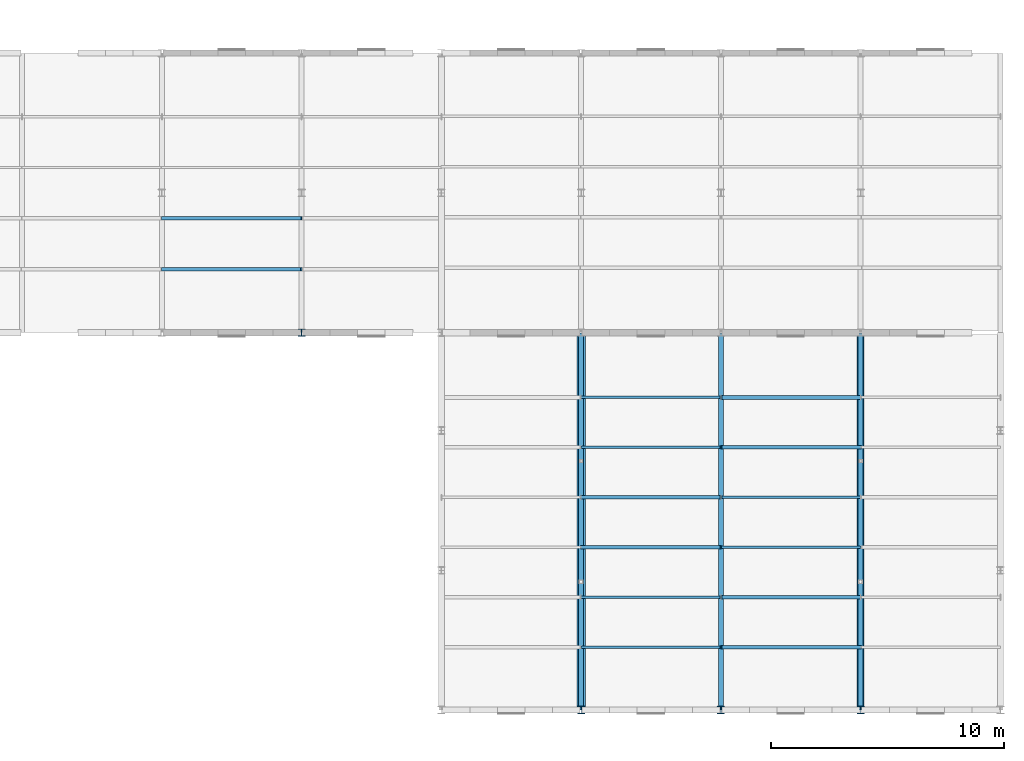
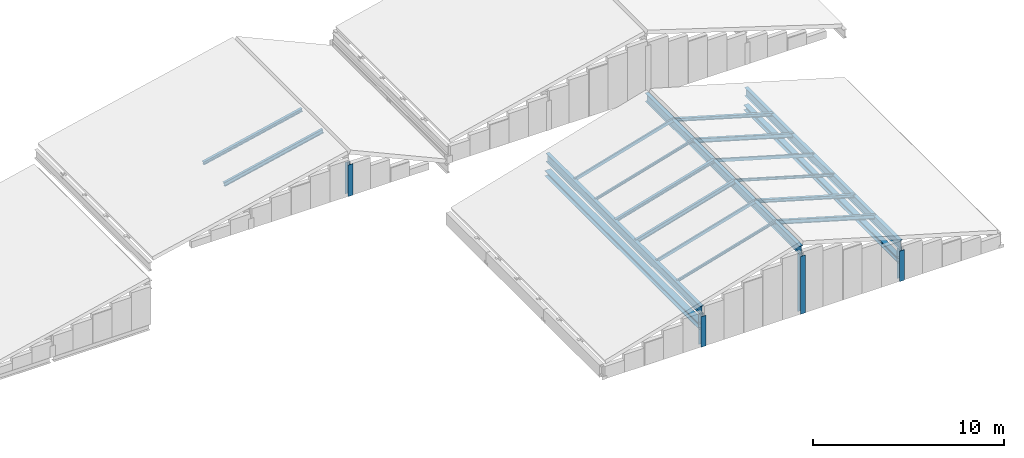
# One storey, part 17 of 74: 20 members, 3 beams.
"""IFC4 building model written with IfcOpenShell, lengths in metres."""

from ifc_helpers import new_model, si_unit, direction, frame, origin, origin_2d, place, context, subcontext, project, spatial, hollow_rectangle, i_section, extrude, material, material_profile, profile_set, type_object, element, save


model = new_model("IFC4")

# Units and contexts
model_context = context("Model", 3, precision=1e-05, world=origin(), true_north=direction((0.0, 1.0)))
body_context = subcontext(model_context, "Body", "Model", "MODEL_VIEW")
ifc_project = project(units=[si_unit("LENGTHUNIT", "METRE"), si_unit("AREAUNIT", "SQUARE_METRE"), si_unit("VOLUMEUNIT", "CUBIC_METRE"), si_unit("PLANEANGLEUNIT", "RADIAN"), si_unit("MASSUNIT", "GRAM", prefix="KILO")], contexts=[model_context])

# Site, building, storey
site_placement = place(None, origin())
site = spatial("IfcSite", under=ifc_project, at=site_placement, CompositionType="ELEMENT")
building_placement = place(site_placement, origin())
building = spatial("IfcBuilding", under=site, at=building_placement, Name="Siltcreek Boulevard Central Fire Station", CompositionType="ELEMENT")
storey_placement = place(building_placement, frame((0.0, 0.0, 25.199951171875)))
storey = spatial("IfcBuildingStorey", under=building, at=storey_placement, Name="RF", CompositionType="ELEMENT", Elevation=25.199951171875)

# Beams
ifc_material_1 = material(Name="Structural steel ASTM A992 Gr50", Category="steel")
ifc_material_profile_1 = material_profile(ifc_material_1, i_section(OverallWidth=0.2109375, OverallDepth=0.5390625, WebThickness=0.01171875, FlangeThickness=0.018798828125, at=origin_2d()), Name="W530X109")
ifc_profile_set_1 = profile_set([ifc_material_profile_1], Name="Structural steel ASTM A992 Gr50")
beam_type = type_object("IfcBeamType", Name="BM_W530X109", PredefinedType="BEAM", material=ifc_profile_set_1)
for number, where, z_axis, x_axis, name in (
    (1, (148.199951171875, 1.81005859375, -12.984375), (0.0, 1.0, 0.0), (-1.0, 0.0, 0.0), "Pitched roof rafter beam RFB-065"),
    (2, (154.199951171875, 1.81005859375, -11.234375), (0.0, 1.0, 0.0), (-1.0, 0.0, 0.0), "Pitched roof rafter beam RFB-066"),
    (3, (160.199951171875, 1.81005859375, -12.984375), (0.0, 1.0, 0.0), (-1.0, 0.0, 0.0), "Pitched roof rafter beam RFB-067"),
):
    element("IfcBeam", number, at=place(storey_placement, frame(where, z_axis=z_axis, x_axis=x_axis)), inside=storey, type_object=beam_type, Name=name, PredefinedType="BEAM", context=body_context, shape_type="SweptSolid", body=[
        extrude(i_section(OverallWidth=0.2109375, OverallDepth=0.5390625, WebThickness=0.01171875, FlangeThickness=0.018798828125, at=origin_2d()), origin(), (0.0, 0.0, 1.0), 16.179931640625),
    ])

# Members
ifc_material_profile_2 = material_profile(ifc_material_1, i_section(OverallWidth=0.304931640625, OverallDepth=0.30810546875, WebThickness=0.010009765625, FlangeThickness=0.015380859375, at=origin_2d()), Name="W310X97")
ifc_profile_set_2 = profile_set([ifc_material_profile_2], Name="Structural steel ASTM A992 Gr50")
member_type_1 = type_object("IfcMemberType", Name="CH_W310X97", PredefinedType="CHORD", material=ifc_profile_set_2)
member_1_placement = place(storey_placement, frame((160.199951171875, 1.81005859375, -13.973876953125), z_axis=(0.0, 1.0, 0.0), x_axis=(-1.0, 0.0, 0.0)))
element("IfcMember", 4, at=member_1_placement, inside=storey, type_object=member_type_1, Name="Roof truss bottom chord CH-007", PredefinedType="CHORD", context=body_context, shape_type="SweptSolid", body=[
    extrude(i_section(OverallWidth=0.304931640625, OverallDepth=0.30810546875, WebThickness=0.010009765625, FlangeThickness=0.015380859375, at=origin_2d()), origin(), (0.0, 0.0, 1.0), 16.179931640625),
])
member_2_placement = place(storey_placement, frame((136.199951171875, 18.0, -11.199951171875), z_axis=(0.0, 0.0, 1.0), x_axis=(1.0, 0.0, 0.0)))
element("IfcMember", 5, at=member_2_placement, inside=storey, type_object=member_type_1, Name="Roof bearing truss post 0768", PredefinedType="CHORD", context=body_context, shape_type="SweptSolid", body=[
    extrude(i_section(OverallWidth=0.304931640625, OverallDepth=0.30810546875, WebThickness=0.010009765625, FlangeThickness=0.015380859375, at=origin_2d()), origin(), (0.0, 0.0, 1.0), 2.012451171875),
])
member_3_placement = place(storey_placement, frame((148.199951171875, 1.800048828125, -15.199951171875), z_axis=(0.0, 0.0, 1.0), x_axis=(1.0, 0.0, 0.0)))
element("IfcMember", 6, at=member_3_placement, inside=storey, type_object=member_type_1, Name="Roof bearing truss post 0781", PredefinedType="CHORD", context=body_context, shape_type="SweptSolid", body=[
    extrude(i_section(OverallWidth=0.304931640625, OverallDepth=0.30810546875, WebThickness=0.010009765625, FlangeThickness=0.015380859375, at=origin_2d()), origin(), (0.0, 0.0, 1.0), 1.949951171875),
])
member_4_placement = place(storey_placement, frame((154.199951171875, 1.800048828125, -15.199951171875), z_axis=(0.0, 0.0, 1.0), x_axis=(1.0, 0.0, 0.0)))
element("IfcMember", 7, at=member_4_placement, inside=storey, type_object=member_type_1, Name="Roof bearing truss post 0788", PredefinedType="CHORD", context=body_context, shape_type="SweptSolid", body=[
    extrude(i_section(OverallWidth=0.304931640625, OverallDepth=0.30810546875, WebThickness=0.010009765625, FlangeThickness=0.015380859375, at=origin_2d()), origin(), (0.0, 0.0, 1.0), 3.699951171875),
])
member_5_placement = place(storey_placement, frame((160.199951171875, 1.800048828125, -15.199951171875), z_axis=(0.0, 0.0, 1.0), x_axis=(1.0, 0.0, 0.0)))
element("IfcMember", 8, at=member_5_placement, inside=storey, type_object=member_type_1, Name="Roof bearing truss post 0795", PredefinedType="CHORD", context=body_context, shape_type="SweptSolid", body=[
    extrude(i_section(OverallWidth=0.304931640625, OverallDepth=0.30810546875, WebThickness=0.010009765625, FlangeThickness=0.015380859375, at=origin_2d()), origin(), (0.0, 0.0, 1.0), 1.949951171875),
])
ifc_material_profile_3 = material_profile(ifc_material_1, i_section(OverallWidth=0.368896484375, OverallDepth=0.35595703125, WebThickness=0.01123046875, FlangeThickness=0.01806640625, at=origin_2d()), Name="W360X134")
ifc_profile_set_3 = profile_set([ifc_material_profile_3], Name="Structural steel ASTM A992 Gr50")
member_type_2 = type_object("IfcMemberType", Name="CH_W360X134", PredefinedType="CHORD", material=ifc_profile_set_3)
member_6_placement = place(storey_placement, frame((148.199951171875, 1.81005859375, -13.973876953125), z_axis=(0.0, 1.0, 0.0), x_axis=(-1.0, 0.0, 0.0)))
element("IfcMember", 9, at=member_6_placement, inside=storey, type_object=member_type_2, Name="Roof truss bottom chord CH-006", PredefinedType="CHORD", context=body_context, shape_type="SweptSolid", body=[
    extrude(i_section(OverallWidth=0.368896484375, OverallDepth=0.35595703125, WebThickness=0.01123046875, FlangeThickness=0.01806640625, at=origin_2d()), origin(), (0.0, 0.0, 1.0), 16.179931640625),
])
ifc_material_2 = material(Name="Structural steel ASTM A500 GrC", Category="steel")
ifc_material_profile_4 = material_profile(ifc_material_2, hollow_rectangle(XDim=0.10009765625, YDim=0.199951171875, WallThickness=0.00634765625, at=origin_2d()), Name="HSS200X100X6.4")
ifc_profile_set_4 = profile_set([ifc_material_profile_4], Name="Structural steel ASTM A500 GrC")
member_type_3 = type_object("IfcMemberType", Name="PR_HSS200X100", PredefinedType="PURLIN", material=ifc_profile_set_4)
for number, where, z_axis, x_axis, name in (
    (10, (148.2099609375, 6.641357421875, -12.775634765625), (0.960000877925, 0.0, 0.279996989953), (0.0, 1.0, 0.0), "Sloped roof purlin PR-0315"),
    (11, (148.2099609375, 15.224365234375, -12.775634765625), (0.960000877925, 0.0, 0.279996989953), (0.0, 1.0, 0.0), "Sloped roof purlin PR-0319"),
    (12, (154.2099609375, 10.932861328125, -11.031494140625), (0.960000877925, 0.0, -0.279996989953), (0.0, 1.0, 0.0), "Sloped roof purlin PR-0323"),
):
    element("IfcMember", number, at=place(storey_placement, frame(where, z_axis=z_axis, x_axis=x_axis)), inside=storey, type_object=member_type_3, Name=name, PredefinedType="PURLIN", context=body_context, shape_type="SweptSolid", body=[
        extrude(hollow_rectangle(XDim=0.10009765625, YDim=0.199951171875, WallThickness=0.00634765625, at=origin_2d()), origin(), (0.0, 0.0, 1.0), 6.229248046875),
    ])
ifc_material_profile_5 = material_profile(ifc_material_1, i_section(OverallWidth=0.10205078125, OverallDepth=0.159912109375, WebThickness=0.006591796875, FlangeThickness=0.01025390625, at=origin_2d()), Name="W150X24")
ifc_profile_set_5 = profile_set([ifc_material_profile_5], Name="Structural steel ASTM A992 Gr50")
member_type_4 = type_object("IfcMemberType", Name="PR_W150X24", PredefinedType="PURLIN", material=ifc_profile_set_5)
for number, where, z_axis, x_axis, name in (
    (13, (148.2099609375, 4.49560546875, -12.7548828125), (0.959990342304, 0.0, 0.280033109976), (0.0, 1.0, 0.0), "Sloped roof purlin PR-0314"),
    (14, (148.2099609375, 13.07861328125, -12.7548828125), (0.959990342304, 0.0, 0.280033109976), (0.0, 1.0, 0.0), "Sloped roof purlin PR-0318"),
    (15, (154.2099609375, 8.787109375, -11.010498046875), (0.959990342304, 0.0, -0.280033109976), (0.0, 1.0, 0.0), "Sloped roof purlin PR-0322"),
):
    element("IfcMember", number, at=place(storey_placement, frame(where, z_axis=z_axis, x_axis=x_axis)), inside=storey, type_object=member_type_4, Name=name, PredefinedType="PURLIN", context=body_context, shape_type="SweptSolid", body=[
        extrude(i_section(OverallWidth=0.10205078125, OverallDepth=0.159912109375, WebThickness=0.006591796875, FlangeThickness=0.01025390625, at=origin_2d()), origin(), (0.0, 0.0, 1.0), 6.229248046875),
    ])
ifc_material_profile_6 = material_profile(ifc_material_1, i_section(OverallWidth=0.1650390625, OverallDepth=0.200927734375, WebThickness=0.006103515625, FlangeThickness=0.01025390625, at=origin_2d()), Name="W200X36")
ifc_profile_set_6 = profile_set([ifc_material_profile_6], Name="Structural steel ASTM A992 Gr50")
member_type_5 = type_object("IfcMemberType", Name="PR_W200X36", PredefinedType="PURLIN", material=ifc_profile_set_6)
member_7_placement = place(storey_placement, frame((130.2099609375, 22.909912109375, -10.071044921875), z_axis=(0.975602505083, 0.0, 0.219544419369), x_axis=(0.0, 1.0, 0.0)))
element("IfcMember", 16, at=member_7_placement, inside=storey, type_object=member_type_5, Name="Sloped roof purlin PR-0301", PredefinedType="PURLIN", context=body_context, shape_type="SweptSolid", body=[
    extrude(i_section(OverallWidth=0.1650390625, OverallDepth=0.200927734375, WebThickness=0.006103515625, FlangeThickness=0.01025390625, at=origin_2d()), origin(), (0.0, 0.0, 1.0), 6.129638671875),
])
for number, where, z_axis, x_axis, name in (
    (17, (148.2099609375, 10.932861328125, -12.776123046875), (0.960000877925, 0.0, 0.279996989953), (0.0, 1.0, 0.0), "Sloped roof purlin PR-0317"),
    (18, (154.2099609375, 6.641357421875, -11.031982421875), (0.960000877925, 0.0, -0.279996989953), (0.0, 1.0, 0.0), "Sloped roof purlin PR-0321"),
    (19, (154.2099609375, 15.224365234375, -11.031982421875), (0.960000877925, 0.0, -0.279996989953), (0.0, 1.0, 0.0), "Sloped roof purlin PR-0325"),
):
    element("IfcMember", number, at=place(storey_placement, frame(where, z_axis=z_axis, x_axis=x_axis)), inside=storey, type_object=member_type_5, Name=name, PredefinedType="PURLIN", context=body_context, shape_type="SweptSolid", body=[
        extrude(i_section(OverallWidth=0.1650390625, OverallDepth=0.200927734375, WebThickness=0.006103515625, FlangeThickness=0.01025390625, at=origin_2d()), origin(), (0.0, 0.0, 1.0), 6.229248046875),
    ])
ifc_material_profile_7 = material_profile(ifc_material_1, i_section(OverallWidth=0.14697265625, OverallDepth=0.261962890625, WebThickness=0.006591796875, FlangeThickness=0.01123046875, at=origin_2d()), Name="W250X39")
ifc_profile_set_7 = profile_set([ifc_material_profile_7], Name="Structural steel ASTM A992 Gr50")
member_type_6 = type_object("IfcMemberType", Name="PR_W250X39", PredefinedType="PURLIN", material=ifc_profile_set_7)
member_8_placement = place(storey_placement, frame((130.2099609375, 20.72998046875, -10.102294921875), z_axis=(0.975611035589, 0.0, 0.219506508416), x_axis=(0.0, 1.0, 0.0)))
element("IfcMember", 20, at=member_8_placement, inside=storey, type_object=member_type_6, Name="Sloped roof purlin PR-0300", PredefinedType="PURLIN", context=body_context, shape_type="SweptSolid", body=[
    extrude(i_section(OverallWidth=0.14697265625, OverallDepth=0.261962890625, WebThickness=0.006591796875, FlangeThickness=0.01123046875, at=origin_2d()), origin(), (0.0, 0.0, 1.0), 6.12939453125),
])
for number, where, z_axis, x_axis, name in (
    (21, (148.2099609375, 8.787109375, -12.807861328125), (0.960000877925, 0.0, 0.279996989953), (0.0, 1.0, 0.0), "Sloped roof purlin PR-0316"),
    (22, (154.2099609375, 4.49560546875, -11.063720703125), (0.960000877925, 0.0, -0.279996989953), (0.0, 1.0, 0.0), "Sloped roof purlin PR-0320"),
    (23, (154.2099609375, 13.07861328125, -11.063720703125), (0.960000877925, 0.0, -0.279996989953), (0.0, 1.0, 0.0), "Sloped roof purlin PR-0324"),
):
    element("IfcMember", number, at=place(storey_placement, frame(where, z_axis=z_axis, x_axis=x_axis)), inside=storey, type_object=member_type_6, Name=name, PredefinedType="PURLIN", context=body_context, shape_type="SweptSolid", body=[
        extrude(i_section(OverallWidth=0.14697265625, OverallDepth=0.261962890625, WebThickness=0.006591796875, FlangeThickness=0.01123046875, at=origin_2d()), origin(), (0.0, 0.0, 1.0), 6.229248046875),
    ])

save(model, "model.ifc")
